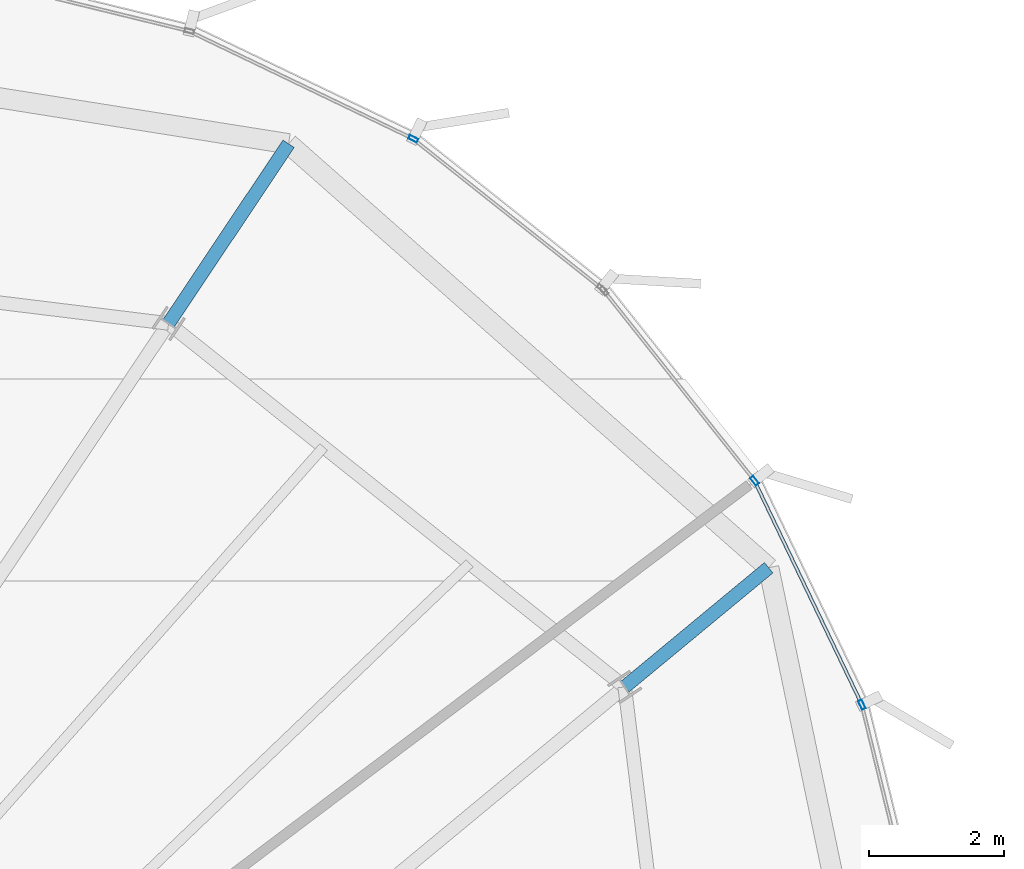
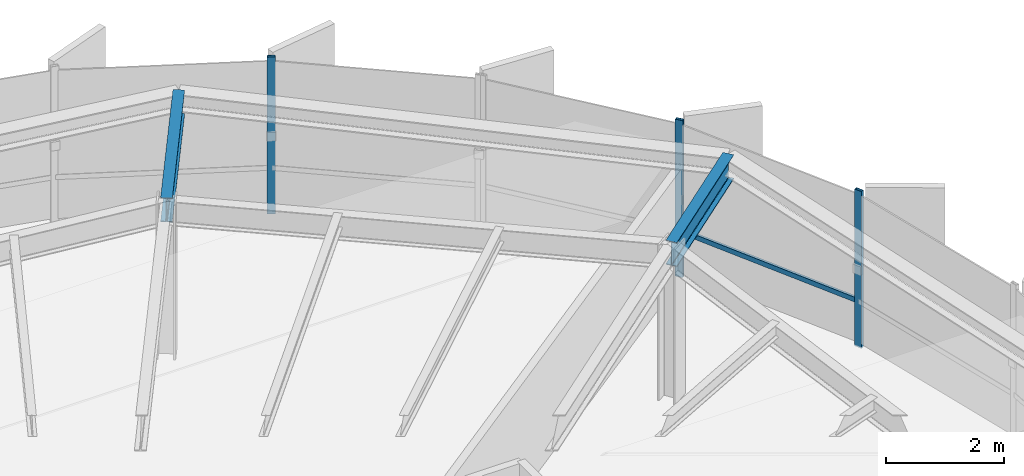
# One storey, part 25 of 34: 4 members, 2 beams, 2 elements without a shape of their own.
"""IFC4 building model written with IfcOpenShell, lengths in metres."""

from ifc_helpers import new_model, si_unit, direction, frame, origin, origin_2d, place, context, subcontext, project, spatial, hollow_rectangle, i_section, extrude, source, transform, mapped, material, layer, layer_set, material_profile, profile_set, type_object, element, aggregate, save


model = new_model("IFC4")

# Units and contexts
model_context = context("Model", 3, precision=1e-05, world=origin(), true_north=direction((0.0, 1.0)))
body_context = subcontext(model_context, "Body", "Model", "MODEL_VIEW")
ifc_project = project(units=[si_unit("LENGTHUNIT", "METRE"), si_unit("AREAUNIT", "SQUARE_METRE"), si_unit("VOLUMEUNIT", "CUBIC_METRE"), si_unit("PLANEANGLEUNIT", "RADIAN"), si_unit("MASSUNIT", "GRAM", prefix="KILO"), si_unit("THERMODYNAMICTEMPERATUREUNIT", "KELVIN")], contexts=[model_context])

# Site, building, storey
site_placement = place(None, origin())
site = spatial("IfcSite", under=ifc_project, at=site_placement, CompositionType="ELEMENT")
building_placement = place(site_placement, origin())
building = spatial("IfcBuilding", under=site, at=building_placement, Name="Kethvar Cultural Tower", CompositionType="ELEMENT")
storey_placement = place(building_placement, frame((0.0, 0.0, 214.89990234375)))
storey = spatial("IfcBuildingStorey", under=building, at=storey_placement, Name="L56", CompositionType="ELEMENT", Elevation=214.89990234375)

# Beams
ifc_material_1 = material(Name="Steel S355J2", Category="steel")
ifc_material_profile_1 = material_profile(ifc_material_1, i_section(OverallWidth=0.199951171875, OverallDepth=0.5, WebThickness=0.01025390625, FlangeThickness=0.01611328125, FilletRadius=0.02099609375, at=origin_2d()), Name="Steel S355J2 — IPE500")
ifc_profile_set_1 = profile_set([ifc_material_profile_1], Name="Steel S355J2 — IPE500")
beam_type = type_object("IfcBeamType", Name="BM-IPE500", PredefinedType="BEAM", material=ifc_profile_set_1)
shared_shape_1 = source(origin(), body_context, "Body", "SweptSolid", [
    extrude(i_section(OverallWidth=0.199951171875, OverallDepth=0.5, WebThickness=0.01025390625, FlangeThickness=0.01611328125, FilletRadius=0.02099609375, at=origin_2d()), origin(), (0.0, 0.0, 1.0), 3.2001953125),
])
beam_1_placement = place(storey_placement, frame((58.748046875, 45.681396484375, 2.988037109375), z_axis=(0.555544970406, 0.831486491686, 0.0), x_axis=(-0.831486491686, 0.555544970406, 0.0)))
element("IfcBeam", 1, at=beam_1_placement, inside=storey, type_object=beam_type, Name="L56 Perimeter Cantilever Beam RC-03", PredefinedType="BEAM", context=body_context, shape_type="MappedRepresentation", body=[
    mapped(shared_shape_1, transform((0.0, 0.0, 0.0), scale=1.0)),
])
shared_shape_2 = source(origin(), body_context, "Body", "SweptSolid", [
    extrude(i_section(OverallWidth=0.199951171875, OverallDepth=0.5, WebThickness=0.01025390625, FlangeThickness=0.01611328125, FilletRadius=0.02099609375, at=origin_2d()), origin(), (0.0, 0.0, 1.0), 2.76904296875),
])
beam_2_placement = place(storey_placement, frame((65.504150390625, 40.297607421875, 2.988037109375), z_axis=(0.770334584177, 0.637639889295, 0.0), x_axis=(-0.637639889295, 0.770334584177, 0.0)))
element("IfcBeam", 2, at=beam_2_placement, inside=storey, type_object=beam_type, Name="L56 Perimeter Cantilever Beam RC-02", PredefinedType="BEAM", context=body_context, shape_type="MappedRepresentation", body=[
    mapped(shared_shape_2, transform((0.0, 0.0, 0.0), scale=1.0)),
])

# Curtain wall, member
ifc_material_2 = material(Name="Aluminium 6063-T6", Category="aluminium")
ifc_layer = layer(ifc_material_2, 0.179931640625, Name="Aluminium 6063-T6", Category="aluminium")
ifc_layer_set = layer_set([ifc_layer], Name="Aluminium 6063-T6 (180 mm)")
curtain_wall_type = type_object("IfcCurtainWallType", Name="CW-SYS-04-Z34", PredefinedType="NOTDEFINED", material=ifc_layer_set)
curtain_wall_1_placement = place(storey_placement, origin())
curtain_wall_1 = element("IfcCurtainWall", 3, at=curtain_wall_1_placement, inside=storey, type_object=curtain_wall_type, Name="L56 Curtain Wall Run 01", PredefinedType="NOTDEFINED")
ifc_material_profile_2 = material_profile(ifc_material_2, hollow_rectangle(XDim=0.06005859375, YDim=0.139892578125, WallThickness=0.0048828125, at=origin_2d()), Name="Aluminium 6063-T6 — RHS140x60x5")
ifc_profile_set_2 = profile_set([ifc_material_profile_2], Name="Aluminium 6063-T6 — RHS140x60x5")
member_type_1 = type_object("IfcMemberType", Name="CW-SYS-04-Z34-MUL", PredefinedType="MULLION", material=ifc_profile_set_2)
shared_shape_3 = source(origin(), body_context, "Body", "SweptSolid", [
    extrude(hollow_rectangle(XDim=0.06005859375, YDim=0.139892578125, WallThickness=0.0048828125, at=origin_2d()), origin(), (0.0, 0.0, 1.0), 3.239990234375),
])
member_1_placement = place(storey_placement, frame((62.37255859375, 48.41552734375, 0.0), z_axis=(0.0, 0.0, 1.0), x_axis=(-0.432809647026, -0.901485335123, 0.0)))
member_1 = element("IfcMember", 4, at=member_1_placement, type_object=member_type_1, Name="CW-L56-R01 Mullion 2", PredefinedType="MULLION", context=body_context, shape_type="MappedRepresentation", body=[
    mapped(shared_shape_3, transform((0.0, 0.0, 0.0), scale=1.0)),
])
aggregate(curtain_wall_1, [member_1])

# Curtain wall, members
curtain_wall_2_placement = place(storey_placement, origin())
curtain_wall_2 = element("IfcCurtainWall", 5, at=curtain_wall_2_placement, inside=storey, type_object=curtain_wall_type, Name="L56 Curtain Wall Run 06", PredefinedType="NOTDEFINED")
member_2_placement = place(storey_placement, frame((69.01806640625, 40.034912109375, 0.0), z_axis=(0.0, 0.0, 1.0), x_axis=(-0.901485335123, -0.432809647026, 0.0)))
member_2 = element("IfcMember", 6, at=member_2_placement, type_object=member_type_1, Name="CW-L56-R06 Mullion 5", PredefinedType="MULLION", context=body_context, shape_type="MappedRepresentation", body=[
    mapped(shared_shape_3, transform((0.0, 0.0, 0.0), scale=1.0)),
])
member_3_placement = place(storey_placement, frame((67.4287109375, 43.351806640625, 0.0), z_axis=(0.0, 0.0, 1.0), x_axis=(-0.783292174211, -0.62165373788, 0.0)))
member_3 = element("IfcMember", 7, at=member_3_placement, type_object=member_type_1, Name="CW-L56-R06 Mullion 6", PredefinedType="MULLION", context=body_context, shape_type="MappedRepresentation", body=[
    mapped(shared_shape_3, transform((0.0, 0.0, 0.0), scale=1.0)),
])
ifc_material_profile_3 = material_profile(ifc_material_2, hollow_rectangle(XDim=0.050048828125, YDim=0.10009765625, WallThickness=0.00390625, at=origin_2d()), Name="Aluminium 6063-T6 — RHS100x50x4")
ifc_profile_set_3 = profile_set([ifc_material_profile_3], Name="Aluminium 6063-T6 — RHS100x50x4")
member_type_2 = type_object("IfcMemberType", Name="CW-SYS-04-Z34-TRN", PredefinedType="USERDEFINED", material=ifc_profile_set_3)
shared_shape_4 = source(origin(), body_context, "Body", "SweptSolid", [
    extrude(hollow_rectangle(XDim=0.050048828125, YDim=0.10009765625, WallThickness=0.00390625, at=origin_2d()), origin(), (0.0, 0.0, 1.0), 3.615966796875),
])
member_4_placement = place(storey_placement, frame((68.999267578125, 40.07373046875, 0.9501953125), z_axis=(-0.432788136253, 0.901495662285, 0.0), x_axis=(-0.901495662285, -0.432788136253, 0.0)))
member_4 = element("IfcMember", 8, at=member_4_placement, type_object=member_type_2, Name="CW-L56-R06 Transom 5", ObjectType="TRANSOM", PredefinedType="USERDEFINED", context=body_context, shape_type="MappedRepresentation", body=[
    mapped(shared_shape_4, transform((0.0, 0.0, 0.0), scale=1.0)),
])
aggregate(curtain_wall_2, [member_2, member_3, member_4])

save(model, "model.ifc")
